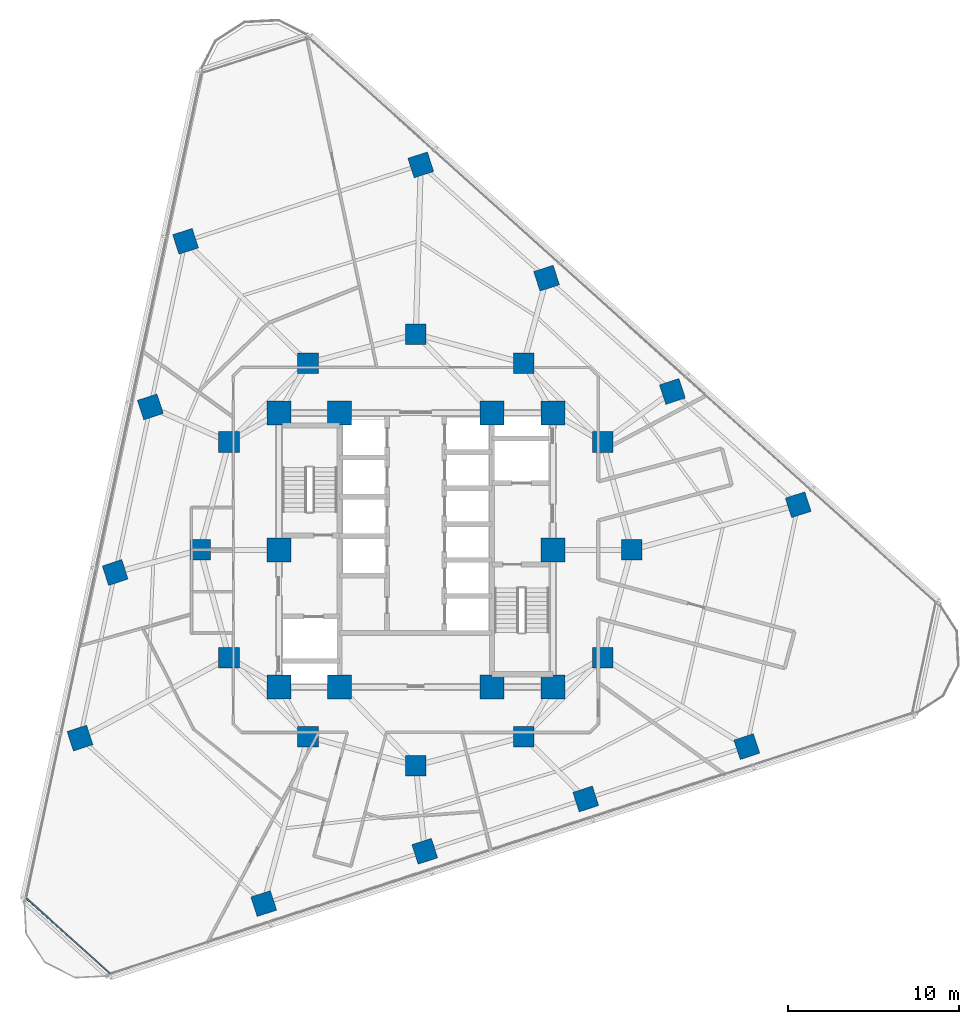
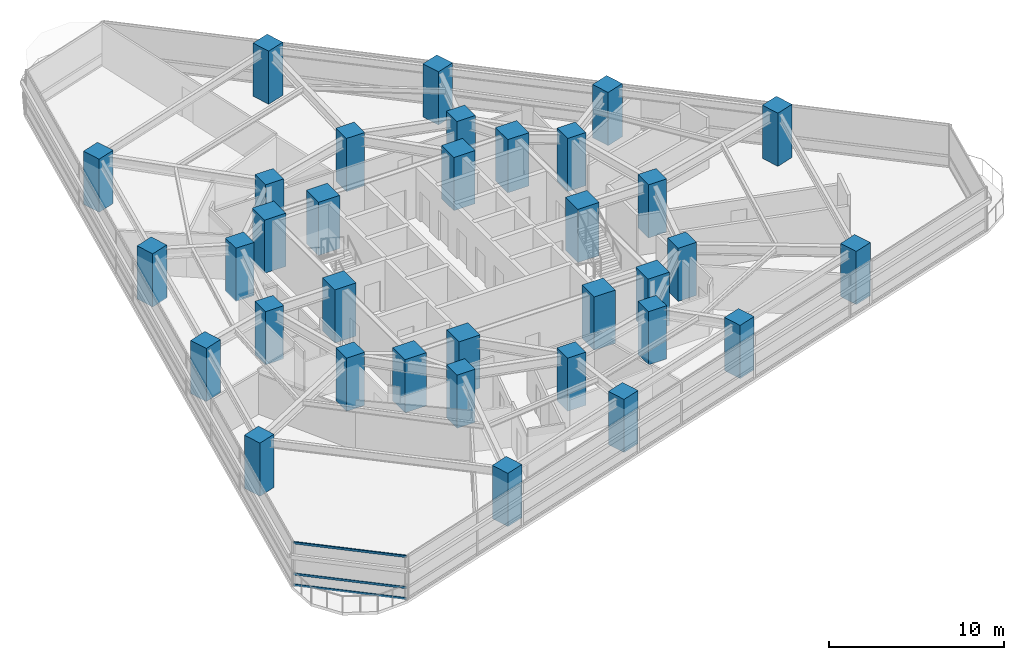
# One storey, part 1 of 13: 34 columns, 3 members, 1 element without a shape of its own.
"""IFC4 building model written with IfcOpenShell, lengths in metres."""

import ifcopenshell
import ifcopenshell.guid

model = None  # the IFC model being written
_history = None  # IfcOwnerHistory: only IFC2X3 demands one
_inside = {}  # id of a spatial element -> (the spatial element, [elements in it])
_under = {}  # id of a project, library or spatial element -> (it, [spatial elements below it])
_declared = {}  # id of a project -> (the project, [libraries it declares])
_typed = {}  # id of a type object -> (the type object, [elements of that type])
_made_of = {}  # id of a material, layer set ... -> (it, [elements and type objects made of it])


def new_model(schema):
    """Start an empty IFC model of exactly this schema.

    Asked for "IFC4X3", IfcOpenShell would pick the latest addendum, in which some entities
    have other attributes; the version numbers below select the first issue.
    IFC2X3 requires an IfcOwnerHistory on every rooted entity: one is made here for all.
    """
    global model, _history
    if schema == "IFC4X3":
        model = ifcopenshell.file(schema_version=(4, 3, 0, 0))
    else:
        model = ifcopenshell.file(schema=schema)
    _inside.clear()
    _under.clear()
    _declared.clear()
    _typed.clear()
    _made_of.clear()
    _history = None
    if model.schema == "IFC2X3":
        org = make("IfcOrganization", Name="unknown")
        user = make(
            "IfcPersonAndOrganization",
            ThePerson=make("IfcPerson", FamilyName="unknown"),
            TheOrganization=org,
        )
        app = make(
            "IfcApplication",
            ApplicationDeveloper=org,
            Version="unknown",
            ApplicationFullName="unknown",
            ApplicationIdentifier="unknown",
        )
        _history = make(
            "IfcOwnerHistory",
            OwningUser=user,
            OwningApplication=app,
            ChangeAction="ADDED",
            CreationDate=0,
        )
    return model


def make(cls, **values):
    """One entity of the class cls with the attributes given. An attribute that is None is left unset."""
    return model.create_entity(
        cls, **{name: value for name, value in values.items() if value is not None}
    )


def rooted(cls, **values):
    """An entity with a GlobalId (a new one), such as an element, a storey or a relation."""
    return make(cls, GlobalId=ifcopenshell.guid.new(), OwnerHistory=_history, **values)


def si_unit(unit_type, name, prefix=None):
    """IfcSIUnit, for example si_unit("LENGTHUNIT", "METRE", prefix="MILLI")."""
    return make("IfcSIUnit", UnitType=unit_type, Prefix=prefix, Name=name)


def assignment(units):
    """IfcUnitAssignment: the units of a project."""
    return None if units is None else make("IfcUnitAssignment", Units=units)


def point(xyz):
    """IfcCartesianPoint."""
    return None if xyz is None else make("IfcCartesianPoint", Coordinates=xyz)


def direction(xyz):
    """IfcDirection."""
    return None if xyz is None else make("IfcDirection", DirectionRatios=xyz)


def frame(location, z_axis=None, x_axis=None):
    """IfcAxis2Placement3D, a coordinate frame: its origin and axes. An axis left out is left unset."""
    return make(
        "IfcAxis2Placement3D",
        Location=point(location),
        Axis=direction(z_axis),
        RefDirection=direction(x_axis),
    )


def frame_2d(location, x_axis=None):
    """IfcAxis2Placement2D, a coordinate frame in the plane: its origin and x axis."""
    return make(
        "IfcAxis2Placement2D", Location=point(location), RefDirection=direction(x_axis)
    )


def origin():
    """The frame at (0, 0, 0) with its axes left unset."""
    return frame((0.0, 0.0, 0.0))


def origin_2d():
    """The frame at (0, 0) in the plane with its x axis left unset."""
    return frame_2d((0.0, 0.0))


def place(relative_to, where):
    """IfcLocalPlacement: puts the frame where relative to a parent placement (None: the world)."""
    return make(
        "IfcLocalPlacement", PlacementRelTo=relative_to, RelativePlacement=where
    )


def context(
    kind, dimensions, precision=None, world=None, true_north=None, identifier=None
):
    """IfcGeometricRepresentationContext, for example the 3D "Model" context."""
    return make(
        "IfcGeometricRepresentationContext",
        ContextIdentifier=identifier,
        ContextType=kind,
        CoordinateSpaceDimension=dimensions,
        Precision=precision,
        WorldCoordinateSystem=world,
        TrueNorth=true_north,
    )


def subcontext(parent, identifier, kind, view, scale=None):
    """IfcGeometricRepresentationSubContext, for example "Body" below "Model"."""
    return make(
        "IfcGeometricRepresentationSubContext",
        ContextIdentifier=identifier,
        ContextType=kind,
        ParentContext=parent,
        TargetScale=scale,
        TargetView=view,
    )


def project(units=None, contexts=None):
    """IfcProject with its units and contexts."""
    return rooted(
        "IfcProject",
        Name="project",
        RepresentationContexts=contexts,
        UnitsInContext=assignment(units),
    )


def spatial(cls, under=None, at=None, **own):
    """A site, building, storey or space (cls), placed at a placement, below another one or the project."""
    s = rooted(cls, ObjectPlacement=at, **own)
    if under is not None:
        _under.setdefault(under.id(), (under, []))[1].append(s)
    return s


def profile(cls, at=None, kind="AREA", **sizes):
    """A parametric profile (cls). Its sizes go by their IFC names, for example OverallWidth=200.0."""
    return make(cls, ProfileType=kind, Position=at, **sizes)


def rectangle(**sizes):
    """IfcRectangleProfileDef."""
    return profile("IfcRectangleProfileDef", **sizes)


def extrude(swept, where, along, depth):
    """IfcExtrudedAreaSolid: the profile swept, set in the frame where, extruded along a direction by depth."""
    return make(
        "IfcExtrudedAreaSolid",
        SweptArea=swept,
        Position=where,
        ExtrudedDirection=direction(along),
        Depth=depth,
    )


def shape(context_of_items, identifier, shape_type, items):
    """IfcShapeRepresentation: the items that make up one representation, for example the "Body"."""
    return make(
        "IfcShapeRepresentation",
        ContextOfItems=context_of_items,
        RepresentationIdentifier=identifier,
        RepresentationType=shape_type,
        Items=items,
    )


def material(Name=None, Category=None):
    """IfcMaterial."""
    return make("IfcMaterial", Name=Name, Category=Category)


def layer(
    of_material, thickness, ventilated=None, Name=None, Category=None, Priority=None
):
    """IfcMaterialLayer: one layer of a wall or slab, of a material (None: an air gap)."""
    return make(
        "IfcMaterialLayer",
        Material=of_material,
        LayerThickness=thickness,
        IsVentilated=ventilated,
        Name=Name,
        Category=Category,
        Priority=Priority,
    )


def layer_set(layers, Name=None):
    """IfcMaterialLayerSet."""
    return make("IfcMaterialLayerSet", MaterialLayers=layers, LayerSetName=Name)


def material_profile(
    of_material, cross_section, Name=None, Category=None, Priority=None
):
    """IfcMaterialProfile: a cross section and its material."""
    return make(
        "IfcMaterialProfile",
        Name=Name,
        Material=of_material,
        Profile=cross_section,
        Priority=Priority,
        Category=Category,
    )


def profile_set(profiles, Name=None, composite=None):
    """IfcMaterialProfileSet."""
    return make(
        "IfcMaterialProfileSet",
        Name=Name,
        MaterialProfiles=profiles,
        CompositeProfile=composite,
    )


def made_of(thing, what):
    """Note that an element or type object is made of a material, layer set ...; save() writes the relation."""
    if what is not None:
        _made_of.setdefault(what.id(), (what, []))[1].append(thing)
    return thing


def type_object(cls, material=None, **own):
    """A type object (cls), such as IfcWallType, which elements share."""
    return made_of(rooted(cls, **own), material)


def element(
    cls,
    number,
    at=None,
    inside=None,
    cuts=None,
    type_object=None,
    material=None,
    context=None,
    identifier="Body",
    shape_type=None,
    held_by="IfcProductDefinitionShape",
    body=None,
    shapes=None,
    **own,
):
    """One element of the class cls, such as IfcWall. Its Tag is "e" and its number.

    at: its placement. inside: the storey or other place that contains it. cuts: it is an
    opening in that element (IfcRelVoidsElement). A single representation is given by context,
    identifier, shape_type and body (its items); several are given by shapes. held_by: the class
    of the entity that holds the representations. save() writes the other relations.
    """
    e = rooted(cls, Tag="e%d" % number, ObjectPlacement=at, **own)
    if body is not None:
        shapes = [shape(context, identifier, shape_type, body)]
    if shapes is not None:
        e.Representation = make(held_by, Representations=shapes)
    if inside is not None:
        _inside.setdefault(inside.id(), (inside, []))[1].append(e)
    if cuts is not None:
        rooted(
            "IfcRelVoidsElement", RelatingBuildingElement=cuts, RelatedOpeningElement=e
        )
    if type_object is not None:
        _typed.setdefault(type_object.id(), (type_object, []))[1].append(e)
    return made_of(e, material)


def aggregate(whole, parts):
    """IfcRelAggregates: a whole, such as a stair, and the parts it consists of."""
    return rooted("IfcRelAggregates", RelatingObject=whole, RelatedObjects=parts)


def save(model, path):
    """Write the relations noted so far, then the file.

    IfcRelAggregates (storeys below a building ...), IfcRelContainedInSpatialStructure (elements
    in a storey), IfcRelDefinesByType, IfcRelAssociatesMaterial and IfcRelDeclares: one each for
    every whole, place, type object, material and project.
    """
    for whole, parts in _under.values():
        aggregate(whole, parts)
    for where, things in _inside.values():
        rooted(
            "IfcRelContainedInSpatialStructure",
            RelatedElements=things,
            RelatingStructure=where,
        )
    for kind, things in _typed.values():
        rooted("IfcRelDefinesByType", RelatedObjects=things, RelatingType=kind)
    for what, things in _made_of.values():
        rooted("IfcRelAssociatesMaterial", RelatedObjects=things, RelatingMaterial=what)
    for by, libraries in _declared.values():
        rooted("IfcRelDeclares", RelatingContext=by, RelatedDefinitions=libraries)
    model.write(path)


model = new_model("IFC4")

# Units and contexts
model_context = context("Model", 3, precision=1e-05, world=origin(), true_north=direction((0.0, 1.0)))
body_context = subcontext(model_context, "Body", "Model", "MODEL_VIEW")
ifc_project = project(units=[si_unit("LENGTHUNIT", "METRE"), si_unit("AREAUNIT", "SQUARE_METRE"), si_unit("VOLUMEUNIT", "CUBIC_METRE"), si_unit("PLANEANGLEUNIT", "RADIAN"), si_unit("MASSUNIT", "GRAM", prefix="KILO")], contexts=[model_context])

# Site, building, storey
site_placement = place(None, origin())
site = spatial("IfcSite", under=ifc_project, at=site_placement, CompositionType="ELEMENT")
building_placement = place(site_placement, origin())
building = spatial("IfcBuilding", under=site, at=building_placement, Name="Terralouvre Media Tower", CompositionType="ELEMENT")
storey_placement = place(building_placement, frame((0.0, 0.0, 94.0)))
storey = spatial("IfcBuildingStorey", under=building, at=storey_placement, Name="L23", CompositionType="ELEMENT", Elevation=94.0)

# Columns
ifc_material_1 = material(Name="Concrete C60/75", Category="concrete")
ifc_material_profile_1 = material_profile(ifc_material_1, rectangle(XDim=1.199951171875, YDim=1.199951171875, at=origin_2d()), Name="RC 1200x1200")
ifc_profile_set_1 = profile_set([ifc_material_profile_1], Name="Concrete C60/75")
column_type_1 = type_object("IfcColumnType", Name="Structural Column C-RC1200 (RC 1200x1200)", PredefinedType="COLUMN", material=ifc_profile_set_1)
for number, where, z_axis, x_axis, name in (
    (1, (12.60009765625, 0.0, 0.0), (0.0, 0.0, 1.0), (1.0, 0.0, 0.0), "L23 Mega-Frame Column MC01"),
    (2, (10.911865234375, 6.300048828125, 0.0), (0.0, 0.0, 1.0), (1.0, 0.0, 0.0), "L23 Mega-Frame Column MC02"),
    (3, (6.300048828125, 10.911865234375, 0.0), (0.0, 0.0, 1.0), (1.0, 0.0, 0.0), "L23 Mega-Frame Column MC03"),
    (4, (0.0, 12.60009765625, 0.0), (0.0, 0.0, 1.0), (1.0, 0.0, 0.0), "L23 Mega-Frame Column MC04"),
    (5, (-6.300048828125, 10.911865234375, 0.0), (0.0, 0.0, 1.0), (1.0, 0.0, 0.0), "L23 Mega-Frame Column MC05"),
    (6, (-10.911865234375, 6.300048828125, 0.0), (0.0, 0.0, 1.0), (1.0, 0.0, 0.0), "L23 Mega-Frame Column MC06"),
    (7, (-12.60009765625, 0.0, 0.0), (0.0, 0.0, 1.0), (1.0, 0.0, 0.0), "L23 Mega-Frame Column MC07"),
    (8, (-10.911865234375, -6.300048828125, 0.0), (0.0, 0.0, 1.0), (1.0, 0.0, 0.0), "L23 Mega-Frame Column MC08"),
    (9, (-6.300048828125, -10.911865234375, 0.0), (0.0, 0.0, 1.0), (1.0, 0.0, 0.0), "L23 Mega-Frame Column MC09"),
    (10, (0.0, -12.60009765625, 0.0), (0.0, 0.0, 1.0), (1.0, 0.0, 0.0), "L23 Mega-Frame Column MC10"),
    (11, (6.300048828125, -10.911865234375, 0.0), (0.0, 0.0, 1.0), (1.0, 0.0, 0.0), "L23 Mega-Frame Column MC11"),
    (12, (10.911865234375, -6.300048828125, 0.0), (0.0, 0.0, 1.0), (1.0, 0.0, 0.0), "L23 Mega-Frame Column MC12"),
    (13, (-8.883056640625, -20.658203125, 0.0), (0.0, 0.0, 1.0), (0.951056516295, 0.309016994375, 0.0), "L23 Perimeter Mega-Column PC11"),
    (14, (0.52099609375, -17.6025390625, 0.0), (0.0, 0.0, 1.0), (0.951056516295, 0.309016994375, 0.0), "L23 Perimeter Mega-Column PC12"),
    (15, (9.925048828125, -14.547119140625, 0.0), (0.0, 0.0, 1.0), (0.951056516295, 0.309016994375, 0.0), "L23 Perimeter Mega-Column PC13"),
    (16, (19.3291015625, -11.491455078125, 0.0), (0.0, 0.0, 1.0), (0.951056516295, 0.309016994375, 0.0), "L23 Perimeter Mega-Column PC14"),
    (17, (22.33203125, 2.63623046875, 0.0), (0.0, 0.0, 1.0), (0.951056516295, 0.309016994375, 0.0), "L23 Perimeter Mega-Column PC21"),
    (18, (14.98388671875, 9.25244140625, 0.0), (0.0, 0.0, 1.0), (0.951056516295, 0.309016994375, 0.0), "L23 Perimeter Mega-Column PC22"),
    (19, (7.635498046875, 15.868896484375, 0.0), (0.0, 0.0, 1.0), (0.951056516295, 0.309016994375, 0.0), "L23 Perimeter Mega-Column PC23"),
    (20, (0.287353515625, 22.4853515625, 0.0), (0.0, 0.0, 1.0), (0.951056516295, 0.309016994375, 0.0), "L23 Perimeter Mega-Column PC24"),
    (21, (-13.448974609375, 18.02197265625, 0.0), (0.0, 0.0, 1.0), (0.951056516295, 0.309016994375, 0.0), "L23 Perimeter Mega-Column PC31"),
    (22, (-15.5048828125, 8.35009765625, 0.0), (0.0, 0.0, 1.0), (0.951056516295, 0.309016994375, 0.0), "L23 Perimeter Mega-Column PC32"),
    (23, (-17.560791015625, -1.32177734375, 0.0), (0.0, 0.0, 1.0), (0.951056516295, 0.309016994375, 0.0), "L23 Perimeter Mega-Column PC33"),
    (24, (-19.616455078125, -10.99365234375, 0.0), (0.0, 0.0, 1.0), (0.951056516295, 0.309016994375, 0.0), "L23 Perimeter Mega-Column PC34"),
):
    element("IfcColumn", number, at=place(storey_placement, frame(where, z_axis=z_axis, x_axis=x_axis)), inside=storey, type_object=column_type_1, Name=name, PredefinedType="COLUMN", context=body_context, shape_type="SweptSolid", body=[
        extrude(rectangle(XDim=1.199951171875, YDim=1.199951171875, at=origin_2d()), origin(), (0.0, 0.0, 1.0), 3.699951171875),
    ])
ifc_material_2 = material(Name="Concrete C60/75", Category="concrete")
ifc_material_profile_2 = material_profile(ifc_material_2, rectangle(XDim=1.39990234375, YDim=1.39990234375, at=origin_2d()), Name="RC 1400x1400")
ifc_profile_set_2 = profile_set([ifc_material_profile_2], Name="Concrete C60/75")
column_type_2 = type_object("IfcColumnType", Name="Structural Column C-RC1400 (RC 1400x1400)", PredefinedType="COLUMN", material=ifc_profile_set_2)
for number, where, z_axis, x_axis, name in (
    (25, (-8.0, -8.0, 0.0), (0.0, 0.0, 1.0), (1.0, 0.0, 0.0), "L23 Core Pilaster Column CP1"),
    (26, (-4.449951171875, -8.0, 0.0), (0.0, 0.0, 1.0), (1.0, 0.0, 0.0), "L23 Core Pilaster Column CP2"),
    (27, (4.449951171875, -8.0, 0.0), (0.0, 0.0, 1.0), (1.0, 0.0, 0.0), "L23 Core Pilaster Column CP10"),
    (28, (8.0, -8.0, 0.0), (0.0, 0.0, 1.0), (1.0, 0.0, 0.0), "L23 Core Pilaster Column CP3"),
    (29, (8.0, 0.0, 0.0), (0.0, 0.0, 1.0), (1.0, 0.0, 0.0), "L23 Core Pilaster Column CP4"),
    (30, (8.0, 8.0, 0.0), (0.0, 0.0, 1.0), (1.0, 0.0, 0.0), "L23 Core Pilaster Column CP5"),
    (31, (4.449951171875, 8.0, 0.0), (0.0, 0.0, 1.0), (1.0, 0.0, 0.0), "L23 Core Pilaster Column CP9"),
    (32, (-4.449951171875, 8.0, 0.0), (0.0, 0.0, 1.0), (1.0, 0.0, 0.0), "L23 Core Pilaster Column CP6"),
    (33, (-8.0, 8.0, 0.0), (0.0, 0.0, 1.0), (1.0, 0.0, 0.0), "L23 Core Pilaster Column CP7"),
    (34, (-8.0, 0.0, 0.0), (0.0, 0.0, 1.0), (1.0, 0.0, 0.0), "L23 Core Pilaster Column CP8"),
):
    element("IfcColumn", number, at=place(storey_placement, frame(where, z_axis=z_axis, x_axis=x_axis)), inside=storey, type_object=column_type_2, Name=name, PredefinedType="COLUMN", context=body_context, shape_type="SweptSolid", body=[
        extrude(rectangle(XDim=1.39990234375, YDim=1.39990234375, at=origin_2d()), origin(), (0.0, 0.0, 1.0), 3.699951171875),
    ])

# Curtain wall, members
ifc_material_3 = material(Name="Low-iron laminated double glazing with solar-control coating", Category="glass")
ifc_layer = layer(ifc_material_3, 0.1650390625, Name="Rounded Wind-Corner Curved Glazing CW-04")
ifc_layer_set = layer_set([ifc_layer], Name="Low-iron laminated double glazing with solar-control coating")
curtain_wall_type = type_object("IfcCurtainWallType", Name="Rounded Wind-Corner Curved Glazing CW-04", PredefinedType="NOTDEFINED", material=ifc_layer_set)
curtain_wall_placement = place(storey_placement, origin())
curtain_wall = element("IfcCurtainWall", 35, at=curtain_wall_placement, inside=storey, type_object=curtain_wall_type, Name="L23 Rounded Wind-Corner Curtain Wall C0", PredefinedType="NOTDEFINED")
ifc_material_4 = material(Name="Anodised extruded aluminium 6063-T6", Category="aluminium")
ifc_material_profile_3 = material_profile(ifc_material_4, rectangle(XDim=0.074951171875, YDim=0.14990234375, at=origin_2d()), Name="ALU 75x150")
ifc_profile_set_3 = profile_set([ifc_material_profile_3], Name="Anodised extruded aluminium 6063-T6")
member_type = type_object("IfcMemberType", Name="Curtain-Wall Horizontal Transom TR-150", PredefinedType="USERDEFINED", material=ifc_profile_set_3)
member_1_placement = place(storey_placement, frame((-22.74560546875, -20.351806640625, 0.03759765625), z_axis=(0.743146319996, -0.669128946524, 0.0), x_axis=(0.669128946524, 0.743146319996, 0.0)))
member_1 = element("IfcMember", 36, at=member_1_placement, type_object=member_type, Name="CW-04 transom 1.1", ObjectType="TRANSOM", PredefinedType="USERDEFINED", context=body_context, shape_type="SweptSolid", body=[
    extrude(rectangle(XDim=0.074951171875, YDim=0.14990234375, at=origin_2d()), origin(), (0.0, 0.0, 1.0), 6.570556640625),
])
member_2_placement = place(storey_placement, frame((-22.74560546875, -20.351806640625, 0.800048828125), z_axis=(0.743146319996, -0.669128946524, 0.0), x_axis=(0.669128946524, 0.743146319996, 0.0)))
member_2 = element("IfcMember", 37, at=member_2_placement, type_object=member_type, Name="CW-04 transom 1.2", ObjectType="TRANSOM", PredefinedType="USERDEFINED", context=body_context, shape_type="SweptSolid", body=[
    extrude(rectangle(XDim=0.074951171875, YDim=0.14990234375, at=origin_2d()), origin(), (0.0, 0.0, 1.0), 6.570556640625),
])
member_3_placement = place(storey_placement, frame((-22.74560546875, -20.351806640625, 2.96240234375), z_axis=(0.743146319996, -0.669128946524, 0.0), x_axis=(0.669128946524, 0.743146319996, 0.0)))
member_3 = element("IfcMember", 38, at=member_3_placement, type_object=member_type, Name="CW-04 transom 1.3", ObjectType="TRANSOM", PredefinedType="USERDEFINED", context=body_context, shape_type="SweptSolid", body=[
    extrude(rectangle(XDim=0.074951171875, YDim=0.14990234375, at=origin_2d()), origin(), (0.0, 0.0, 1.0), 6.570556640625),
])
aggregate(curtain_wall, [member_1, member_2, member_3])

save(model, "model.ifc")
